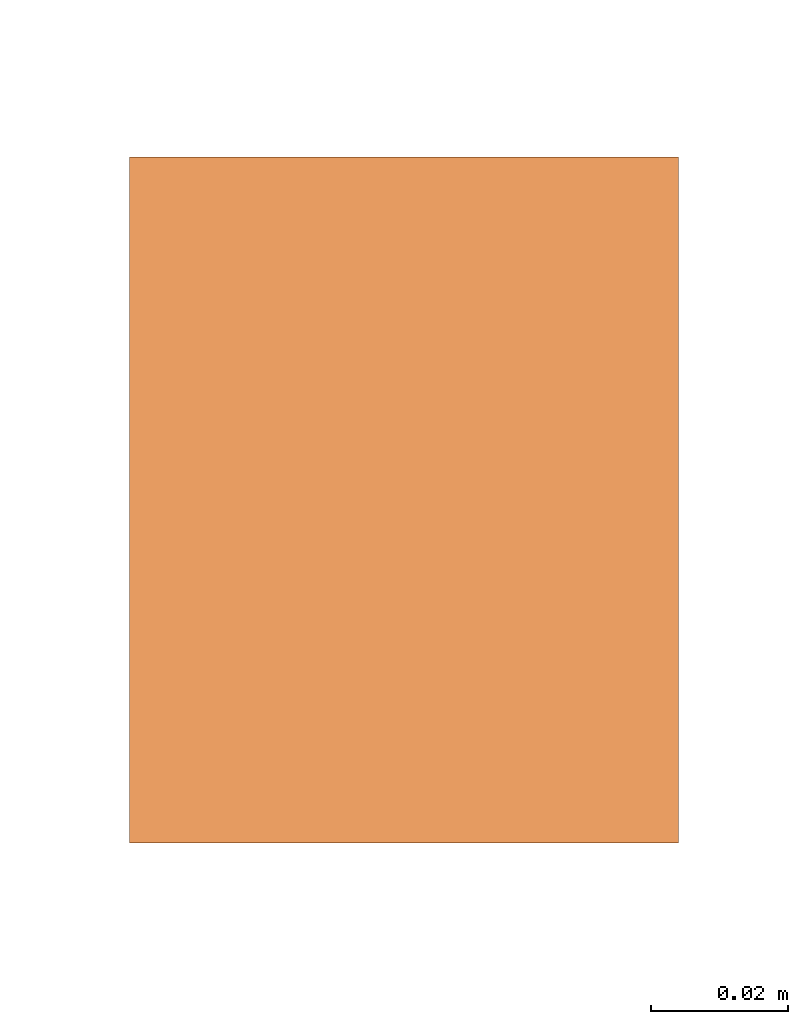
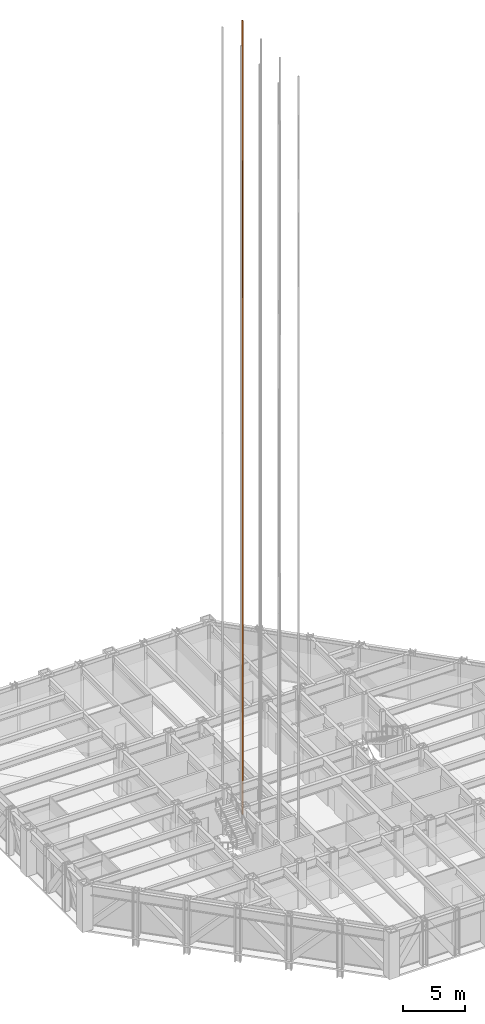
# One storey, part 26 of 26: 1 proxy.
"""IFC4 building model written with IfcOpenShell, lengths in metres."""

from ifc_helpers import new_model, si_unit, direction, frame, origin, origin_2d, place, context, subcontext, project, spatial, rectangle, extrude, material, type_object, element, save


model = new_model("IFC4")

# Units and contexts
model_context = context("Model", 3, precision=1e-05, world=origin(), true_north=direction((0.0, 1.0)))
body_context = subcontext(model_context, "Body", "Model", "MODEL_VIEW")
ifc_project = project(units=[si_unit("LENGTHUNIT", "METRE"), si_unit("AREAUNIT", "SQUARE_METRE"), si_unit("VOLUMEUNIT", "CUBIC_METRE"), si_unit("PLANEANGLEUNIT", "RADIAN"), si_unit("MASSUNIT", "GRAM", prefix="KILO")], contexts=[model_context])

# Site, building, storey
site_placement = place(None, origin())
site = spatial("IfcSite", under=ifc_project, at=site_placement, CompositionType="ELEMENT")
building_placement = place(site_placement, origin())
building = spatial("IfcBuilding", under=site, at=building_placement, Name="Chuquiago Exchange Tower", CompositionType="ELEMENT")
storey_placement = place(building_placement, frame((0.0, 0.0, 102.300048828125)))
storey = spatial("IfcBuildingStorey", under=building, at=storey_placement, Name="L21", CompositionType="ELEMENT", Elevation=102.300048828125)

# Proxy
ifc_material = material(Name="Galvanised steel guide rail", Category="steel")
building_element_proxy_type = type_object("IfcBuildingElementProxyType", Name="LR lift guide rail", PredefinedType="NOTDEFINED", material=ifc_material)
proxy_placement = place(storey_placement, frame((18.93505859375, 25.5, 0.0), z_axis=(0.0, 0.0, 1.0), x_axis=(1.0, 0.0, 0.0)))
element("IfcBuildingElementProxy", 1, at=proxy_placement, inside=storey, type_object=building_element_proxy_type, Name="Lift LB4 guide rail E", PredefinedType="NOTDEFINED", context=body_context, shape_type="SweptSolid", body=[
    extrude(rectangle(XDim=0.080078125, YDim=0.10009765625, at=origin_2d()), origin(), (0.0, 0.0, 1.0), 77.699951171875),
])

save(model, "model.ifc")
